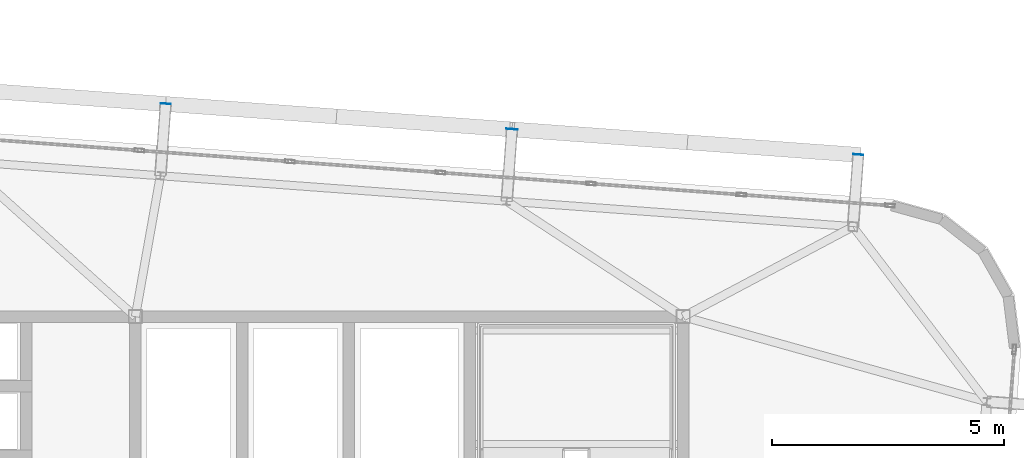
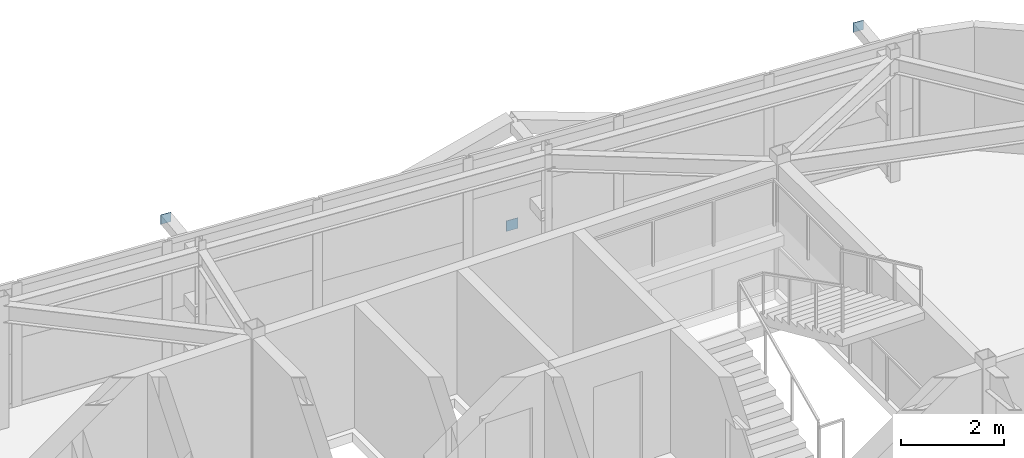
# One storey, part 37 of 42: 3 plates.
"""IFC4 building model written with IfcOpenShell, lengths in metres."""

from ifc_helpers import new_model, si_unit, direction, frame, origin, origin_2d, place, context, subcontext, project, spatial, rectangle, extrude, source, transform, mapped, material, layer, layer_set, type_object, element, save


model = new_model("IFC4")

# Units and contexts
model_context = context("Model", 3, precision=1e-05, world=origin(), true_north=direction((0.0, 1.0)))
body_context = subcontext(model_context, "Body", "Model", "MODEL_VIEW")
ifc_project = project(units=[si_unit("LENGTHUNIT", "METRE"), si_unit("AREAUNIT", "SQUARE_METRE"), si_unit("VOLUMEUNIT", "CUBIC_METRE"), si_unit("PLANEANGLEUNIT", "RADIAN"), si_unit("MASSUNIT", "GRAM", prefix="KILO")], contexts=[model_context])

# Site, building, storey
site_placement = place(None, origin())
site = spatial("IfcSite", under=ifc_project, at=site_placement, CompositionType="ELEMENT")
building_placement = place(site_placement, origin())
building = spatial("IfcBuilding", under=site, at=building_placement, Name="Taldren Reach Tower", CompositionType="ELEMENT")
storey_placement = place(building_placement, frame((0.0, 0.0, 214.550048828125)))
storey = spatial("IfcBuildingStorey", under=building, at=storey_placement, Name="L65", CompositionType="ELEMENT", Elevation=214.550048828125)

# Plates
ifc_material_1 = material(Name="Steel Gr 350 (C350L0)", Category="steel")
ifc_layer_1 = layer(ifc_material_1, 0.011962890625)
ifc_layer_set_1 = layer_set([ifc_layer_1], Name="Steel Gr 350 (C350L0)")
plate_type_1 = type_object("IfcPlateType", Name="PL-CAP-250", PredefinedType="SHEET", material=ifc_layer_set_1)
shared_shape_1 = source(origin(), body_context, "Body", "SweptSolid", [
    extrude(rectangle(XDim=0.25, YDim=0.011962890625, at=origin_2d()), origin(), (0.0, 0.0, 1.0), 0.25),
])
plate_placement = place(storey_placement, frame((47.3134765625, 36.039306640625, 0.094970703125), z_axis=(0.0, 0.0, 1.0), x_axis=(0.997314477224, -0.073238197128, 0.0)))
element("IfcPlate", 1, at=plate_placement, inside=storey, type_object=plate_type_1, Name="Tie strut end cap plate B5-N5 L65", PredefinedType="SHEET", context=body_context, shape_type="MappedRepresentation", body=[
    mapped(shared_shape_1, transform((0.0, 0.0, 0.0), scale=1.0)),
])
ifc_material_2 = material(Name="Steel Gr 450 (C450L0)", Category="steel")
ifc_layer_2 = layer(ifc_material_2, 0.011962890625)
ifc_layer_set_2 = layer_set([ifc_layer_2], Name="Steel Gr 450 (C450L0)")
plate_type_2 = type_object("IfcPlateType", Name="PL-CAP-220", PredefinedType="SHEET", material=ifc_layer_set_2)
shared_shape_2 = source(origin(), body_context, "Body", "SweptSolid", [
    extrude(rectangle(XDim=0.219970703125, YDim=0.011962890625, at=origin_2d()), origin(), (0.0, 0.0, 1.0), 0.219970703125),
])
for number, where, z_axis, x_axis, name in (
    (2, (39.853515625, 36.587158203125, 2.5400390625), (0.0, 0.0, 1.0), (0.997314477224, -0.073238197128, 0.0), "Tie strut end cap plate B5-N4 L65"),
    (3, (54.773193359375, 35.49169921875, 2.5400390625), (0.0, 0.0, 1.0), (0.997314477224, -0.073238197128, 0.0), "Tie strut end cap plate B5-N6 L65"),
):
    element("IfcPlate", number, at=place(storey_placement, frame(where, z_axis=z_axis, x_axis=x_axis)), inside=storey, type_object=plate_type_2, Name=name, PredefinedType="SHEET", context=body_context, shape_type="MappedRepresentation", body=[
        mapped(shared_shape_2, transform((0.0, 0.0, 0.0), scale=1.0)),
    ])

save(model, "model.ifc")
